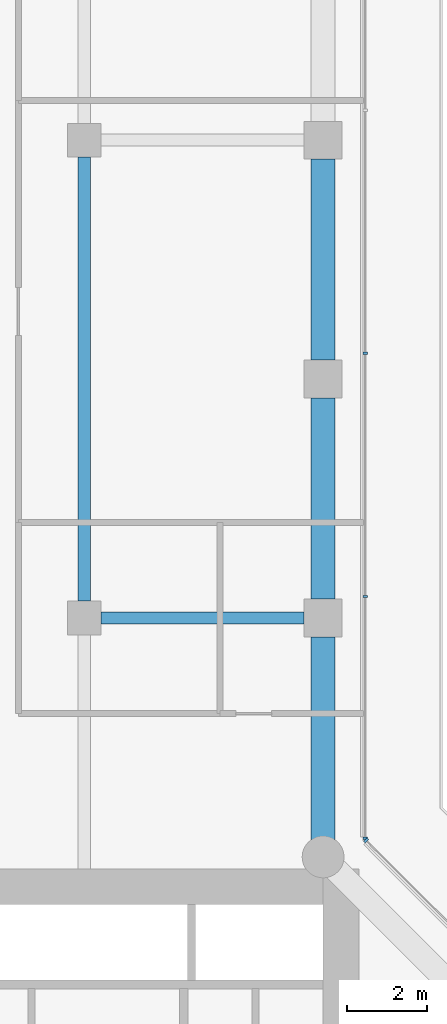
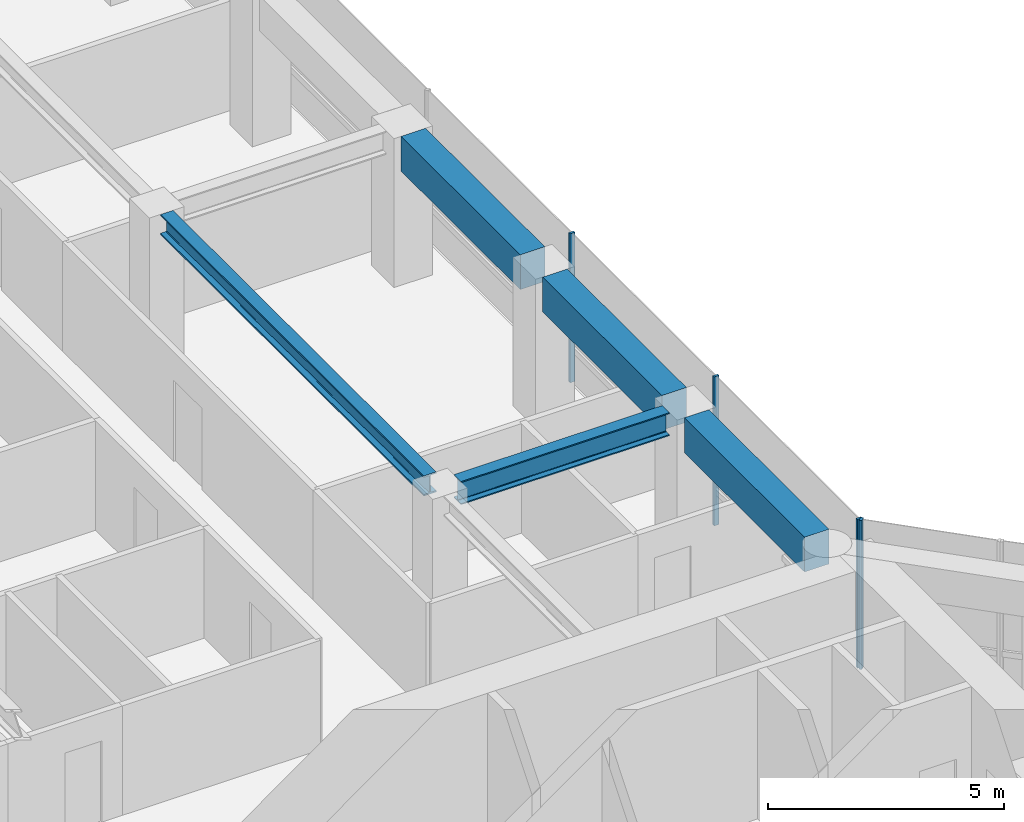
# One storey, part 16 of 29: 5 beams, 4 members, 2 elements without a shape of their own.
"""IFC4 building model written with IfcOpenShell, lengths in metres."""

from ifc_helpers import new_model, si_unit, direction, frame, origin, origin_2d, place, context, subcontext, project, spatial, rectangle, i_section, extrude, material, layer, layer_set, material_profile, profile_set, type_object, element, aggregate, save


model = new_model("IFC4")

# Units and contexts
model_context = context("Model", 3, precision=1e-05, world=origin(), true_north=direction((0.0, 1.0)))
body_context = subcontext(model_context, "Body", "Model", "MODEL_VIEW")
ifc_project = project(units=[si_unit("LENGTHUNIT", "METRE"), si_unit("AREAUNIT", "SQUARE_METRE"), si_unit("VOLUMEUNIT", "CUBIC_METRE"), si_unit("PLANEANGLEUNIT", "RADIAN"), si_unit("MASSUNIT", "GRAM", prefix="KILO")], contexts=[model_context])

# Site, building, storey
site_placement = place(None, origin())
site = spatial("IfcSite", under=ifc_project, at=site_placement, CompositionType="ELEMENT")
building_placement = place(site_placement, origin())
building = spatial("IfcBuilding", under=site, at=building_placement, Name="Welwitschia Terrace Campus", CompositionType="ELEMENT")
storey_placement = place(building_placement, frame((0.0, 0.0, 58.39990234375)))
storey = spatial("IfcBuildingStorey", under=building, at=storey_placement, Name="L13", CompositionType="ELEMENT", Elevation=58.39990234375)

# Beam
ifc_material_1 = material(Name="Steel S355", Category="steel")
ifc_material_profile_1 = material_profile(ifc_material_1, i_section(OverallWidth=0.305908203125, OverallDepth=0.52392578125, WebThickness=0.02099609375, FlangeThickness=0.0400390625, FilletRadius=0.027099609375, at=origin_2d()))
ifc_profile_set_1 = profile_set([ifc_material_profile_1], Name="Steel S355")
beam_type_1 = type_object("IfcBeamType", Name="Interior girder HE 500 M", PredefinedType="BEAM", material=ifc_profile_set_1)
beam_1_placement = place(storey_placement, frame((18.0, 32.425537109375, 3.588134765625), z_axis=(0.0, 1.0, 0.0), x_axis=(-1.0, 0.0, 0.0)))
element("IfcBeam", 1, at=beam_1_placement, inside=storey, type_object=beam_type_1, Name="Girder GB2", PredefinedType="BEAM", context=body_context, shape_type="SweptSolid", body=[
    extrude(i_section(OverallWidth=0.305908203125, OverallDepth=0.52392578125, WebThickness=0.02099609375, FlangeThickness=0.0400390625, FilletRadius=0.027099609375, at=origin_2d()), origin(), (0.0, 0.0, 1.0), 11.14892578125),
])

# Curtain wall, member
ifc_material_2 = material(Name="Bronze anodised aluminium", Category="aluminium")
ifc_layer = layer(ifc_material_2, 0.1201171875)
ifc_layer_set = layer_set([ifc_layer], Name="Bronze anodised aluminium")
curtain_wall_type = type_object("IfcCurtainWallType", Name="Curtain wall CW2 tower 6000", PredefinedType="NOTDEFINED", material=ifc_layer_set)
curtain_wall_1_placement = place(storey_placement, origin())
curtain_wall_1 = element("IfcCurtainWall", 2, at=curtain_wall_1_placement, inside=storey, type_object=curtain_wall_type, Name="CW L13.9.0", PredefinedType="NOTDEFINED")
ifc_material_3 = material(Name="Bronze anodised aluminium", Category="aluminium")
ifc_material_profile_2 = material_profile(ifc_material_3, rectangle(XDim=0.1201171875, YDim=0.06005859375, at=origin_2d()))
ifc_profile_set_2 = profile_set([ifc_material_profile_2], Name="Bronze anodised aluminium")
member_type = type_object("IfcMemberType", Name="Mullion 60x120", PredefinedType="MULLION", material=ifc_profile_set_2)
member_1_placement = place(storey_placement, frame((25.0791015625, 26.4169921875, 0.0), z_axis=(0.0, 0.0, 1.0), x_axis=(-0.707106781187, -0.707106781187, 0.0)))
member_1 = element("IfcMember", 3, at=member_1_placement, type_object=member_type, Name="Mullion L13.9.0.1", PredefinedType="MULLION", context=body_context, shape_type="SweptSolid", body=[
    extrude(rectangle(XDim=0.1201171875, YDim=0.06005859375, at=origin_2d()), origin(), (0.0, 0.0, 1.0), 3.85009765625),
])
aggregate(curtain_wall_1, [member_1])

# Curtain wall, members
curtain_wall_2_placement = place(storey_placement, origin())
curtain_wall_2 = element("IfcCurtainWall", 4, at=curtain_wall_2_placement, inside=storey, type_object=curtain_wall_type, Name="CW L13.10.0", PredefinedType="NOTDEFINED")
member_2_placement = place(storey_placement, frame((25.05810546875, 26.46826171875, 0.0), z_axis=(0.0, 0.0, 1.0), x_axis=(-1.0, 0.0, 0.0)))
member_2 = element("IfcMember", 5, at=member_2_placement, type_object=member_type, Name="Mullion L13.10.0.0", PredefinedType="MULLION", context=body_context, shape_type="SweptSolid", body=[
    extrude(rectangle(XDim=0.1201171875, YDim=0.06005859375, at=origin_2d()), origin(), (0.0, 0.0, 1.0), 3.85009765625),
])
member_3_placement = place(storey_placement, frame((25.05810546875, 32.54150390625, 0.0), z_axis=(0.0, 0.0, 1.0), x_axis=(-1.0, 0.0, 0.0)))
member_3 = element("IfcMember", 6, at=member_3_placement, type_object=member_type, Name="Mullion L13.10.0.1", PredefinedType="MULLION", context=body_context, shape_type="SweptSolid", body=[
    extrude(rectangle(XDim=0.1201171875, YDim=0.06005859375, at=origin_2d()), origin(), (0.0, 0.0, 1.0), 3.85009765625),
])
member_4_placement = place(storey_placement, frame((25.05810546875, 38.644775390625, 0.0), z_axis=(0.0, 0.0, 1.0), x_axis=(-1.0, 0.0, 0.0)))
member_4 = element("IfcMember", 7, at=member_4_placement, type_object=member_type, Name="Mullion L13.10.0.2", PredefinedType="MULLION", context=body_context, shape_type="SweptSolid", body=[
    extrude(rectangle(XDim=0.1201171875, YDim=0.06005859375, at=origin_2d()), origin(), (0.0, 0.0, 1.0), 3.85009765625),
])
aggregate(curtain_wall_2, [member_2, member_3, member_4])

# Beams
ifc_material_4 = material(Name="Steel S355", Category="steel")
ifc_material_profile_3 = material_profile(ifc_material_4, i_section(OverallWidth=0.300048828125, OverallDepth=0.60009765625, WebThickness=0.015380859375, FlangeThickness=0.030029296875, FilletRadius=0.027099609375, at=origin_2d()))
ifc_profile_set_3 = profile_set([ifc_material_profile_3], Name="Steel S355")
beam_type_2 = type_object("IfcBeamType", Name="Primary beam HE 600 B", PredefinedType="BEAM", material=ifc_profile_set_3)
beam_2_placement = place(storey_placement, frame((23.5244140625, 32.0, 3.550048828125), z_axis=(-1.0, 0.0, 0.0), x_axis=(0.0, -1.0, 0.0)))
element("IfcBeam", 8, at=beam_2_placement, inside=storey, type_object=beam_type_2, Name="Primary beam PB2", PredefinedType="BEAM", context=body_context, shape_type="SweptSolid", body=[
    extrude(i_section(OverallWidth=0.300048828125, OverallDepth=0.60009765625, WebThickness=0.015380859375, FlangeThickness=0.030029296875, FilletRadius=0.027099609375, at=origin_2d()), origin(), (0.0, 0.0, 1.0), 5.098876953125),
])
ifc_material_5 = material(Name="Concrete C60/75", Category="concrete")
ifc_material_profile_4 = material_profile(ifc_material_5, rectangle(XDim=0.60009765625, YDim=0.89990234375, at=origin_2d()))
ifc_profile_set_4 = profile_set([ifc_material_profile_4], Name="Concrete C60/75")
beam_type_3 = type_object("IfcBeamType", Name="Ring spandrel 600x900", PredefinedType="SPANDREL", material=ifc_profile_set_4)
beam_3_placement = place(storey_placement, frame((24.0, 26.431396484375, 3.400146484375), z_axis=(0.0, 1.0, 0.0), x_axis=(-1.0, 0.0, 0.0)))
element("IfcBeam", 9, at=beam_3_placement, inside=storey, type_object=beam_type_3, Name="Spandrel SP2", PredefinedType="SPANDREL", context=body_context, shape_type="SweptSolid", body=[
    extrude(rectangle(XDim=0.60009765625, YDim=0.89990234375, at=origin_2d()), origin(), (0.0, 0.0, 1.0), 5.093017578125),
])
for number, where, z_axis, x_axis, name in (
    (10, (24.0, 32.4755859375, 3.400146484375), (0.0, 1.0, 0.0), (-1.0, 0.0, 0.0), "Spandrel SP2"),
    (11, (24.0, 38.4755859375, 3.400146484375), (0.0, 1.0, 0.0), (-1.0, 0.0, 0.0), "Spandrel SP2"),
):
    element("IfcBeam", number, at=place(storey_placement, frame(where, z_axis=z_axis, x_axis=x_axis)), inside=storey, type_object=beam_type_3, Name=name, PredefinedType="SPANDREL", context=body_context, shape_type="SweptSolid", body=[
        extrude(rectangle(XDim=0.60009765625, YDim=0.89990234375, at=origin_2d()), origin(), (0.0, 0.0, 1.0), 5.048828125),
    ])

save(model, "model.ifc")
